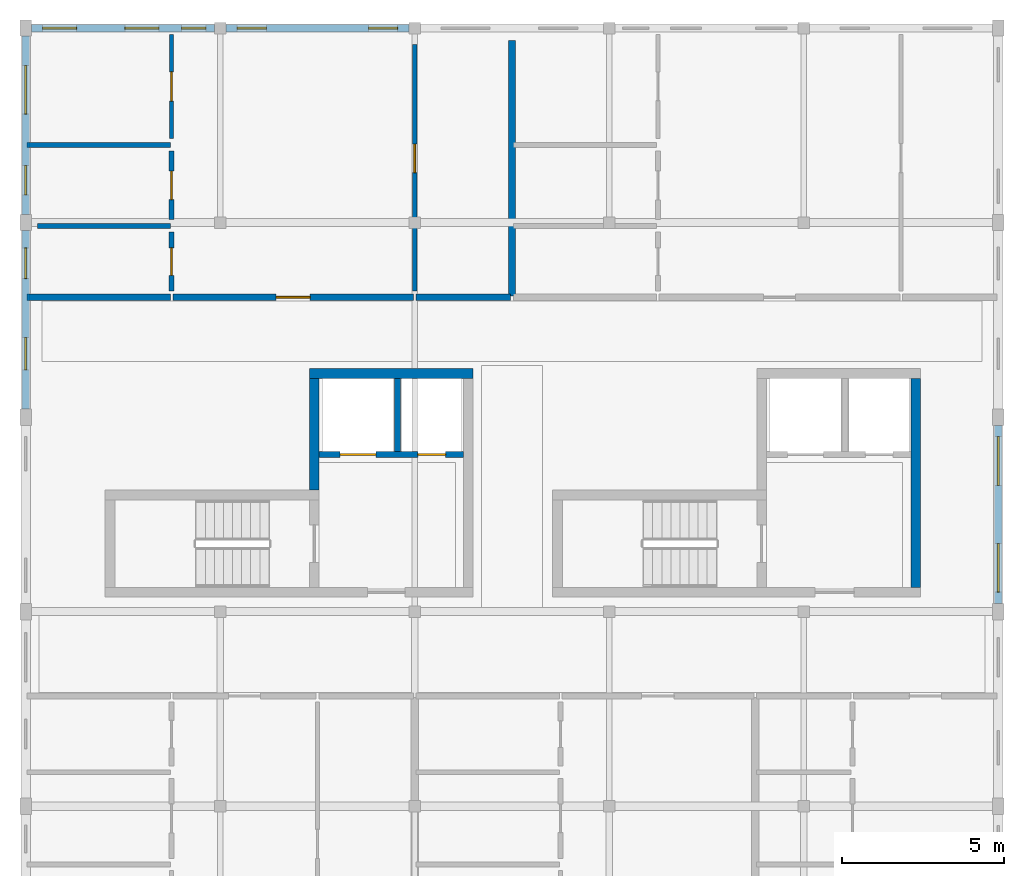
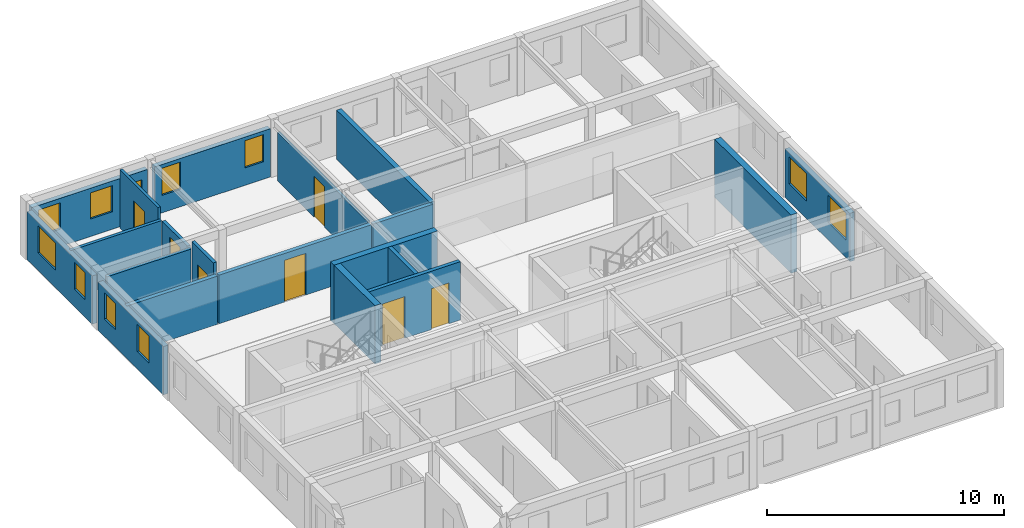
# One storey, part 4 of 7: 20 walls, 11 windows, 7 doors, 18 openings.
"""IFC4 building model written with IfcOpenShell, lengths in metres."""

from ifc_helpers import new_model, si_unit, direction, frame, frame_2d, origin, place, context, subcontext, project, spatial, rectangle, extrude, material, layer, layer_set, type_object, element, fill, save


model = new_model("IFC4")

# Units and contexts
model_context = context("Model", 3, precision=1e-05, world=origin(), true_north=direction((0.0, 1.0)))
body_context = subcontext(model_context, "Body", "Model", "MODEL_VIEW")
ifc_project = project(units=[si_unit("LENGTHUNIT", "METRE"), si_unit("AREAUNIT", "SQUARE_METRE"), si_unit("VOLUMEUNIT", "CUBIC_METRE"), si_unit("PLANEANGLEUNIT", "RADIAN"), si_unit("MASSUNIT", "GRAM", prefix="KILO"), si_unit("POWERUNIT", "WATT"), si_unit("THERMODYNAMICTEMPERATUREUNIT", "KELVIN")], contexts=[model_context])

# Site, building, storey
site_placement = place(None, origin())
site = spatial("IfcSite", under=ifc_project, at=site_placement, CompositionType="ELEMENT")
building_placement = place(site_placement, origin())
building = spatial("IfcBuilding", under=site, at=building_placement, Name="Ruvembo Vaulted Housing Court", CompositionType="ELEMENT")
storey_placement = place(building_placement, frame((0.0, 0.0, 42.89990234375)))
storey = spatial("IfcBuildingStorey", under=building, at=storey_placement, Name="L13", CompositionType="ELEMENT", Elevation=42.89990234375)

# Walls
ifc_material_1 = material(Name="Concrete C35/45", Category="concrete")
ifc_layer_1 = layer(ifc_material_1, 0.300048828125, Name="Concrete C35/45")
ifc_layer_set_1 = layer_set([ifc_layer_1], Name="Concrete C35/45")
wall_type_1 = type_object("IfcWallType", Name="WL-CORE-300", PredefinedType="SHEAR", material=ifc_layer_set_1)
wall_1_placement = place(storey_placement, frame((13.800048828125, 25.35009765625, 0.0), z_axis=(0.0, 0.0, 1.0), x_axis=(-1.0, 0.0, 0.0)))
element("IfcWall", 1, at=wall_1_placement, inside=storey, type_object=wall_type_1, Name="Core A1 L13 North Shear Wall", PredefinedType="SHEAR", context=body_context, shape_type="SweptSolid", body=[
    extrude(rectangle(XDim=5.050048828125, YDim=0.300048828125, at=frame_2d((2.52490234375, 0.0))), origin(), (0.0, 0.0, 1.0), 3.005126953125),
])
wall_2_placement = place(storey_placement, frame((8.89990234375, 21.75, 0.0), z_axis=(0.0, 0.0, 1.0), x_axis=(0.0, 1.0, 0.0)))
element("IfcWall", 2, at=wall_2_placement, inside=storey, type_object=wall_type_1, Name="Core A1 L13 Upper West Shear Wall", PredefinedType="SHEAR", context=body_context, shape_type="SweptSolid", body=[
    extrude(rectangle(XDim=3.449951171875, YDim=0.300048828125, at=frame_2d((1.72509765625, 0.0))), origin(), (0.0, 0.0, 1.0), 3.005126953125),
])
wall_3_placement = place(storey_placement, frame((27.449951171875, 18.75, 0.0), z_axis=(0.0, 0.0, 1.0), x_axis=(0.0, 1.0, 0.0)))
element("IfcWall", 3, at=wall_3_placement, inside=storey, type_object=wall_type_1, Name="Core A2 L13 East Shear Wall", PredefinedType="SHEAR", context=body_context, shape_type="SweptSolid", body=[
    extrude(rectangle(XDim=6.449951171875, YDim=0.300048828125, at=frame_2d((3.22509765625, 0.0))), origin(), (0.0, 0.0, 1.0), 3.005126953125),
])
ifc_material_2 = material(Name="Concrete Blockwork 190", Category="masonry")
ifc_layer_2 = layer(ifc_material_2, 0.18994140625, Name="Concrete Blockwork 190")
ifc_layer_set_2 = layer_set([ifc_layer_2], Name="Concrete Blockwork 190")
wall_type_2 = type_object("IfcWallType", Name="WL-CORR-190", PredefinedType="SOLIDWALL", material=ifc_layer_set_2)
wall_4_placement = place(storey_placement, frame((0.0400390625, 27.699951171875, 0.0), z_axis=(0.0, 0.0, 1.0), x_axis=(1.0, 0.0, 0.0)))
element("IfcWall", 4, at=wall_4_placement, inside=storey, type_object=wall_type_2, Name="L13 Flat A-L13-N1 Corridor Wall WL-INT-L13-02376", PredefinedType="SOLIDWALL", context=body_context, shape_type="SweptSolid", body=[
    extrude(rectangle(XDim=4.419921875, YDim=0.18994140625, at=frame_2d((2.2099609375, 0.0))), origin(), (0.0, 0.0, 1.0), 2.487060546875),
])

# Wall, opening, door
wall_5_placement = place(storey_placement, frame((4.5400390625, 27.699951171875, 0.0), z_axis=(0.0, 0.0, 1.0), x_axis=(1.0, 0.0, 0.0)))
wall_5 = element("IfcWall", 5, at=wall_5_placement, inside=storey, type_object=wall_type_2, Name="L13 Flat A-L13-N1 Entrance WL-INT-L13-02377", PredefinedType="SOLIDWALL", context=body_context, shape_type="SweptSolid", body=[
    extrude(rectangle(XDim=7.419921875, YDim=0.18994140625, at=frame_2d((3.7099609375, 0.0))), origin(), (0.0, 0.0, 1.0), 2.508056640625),
])
opening_1_placement = place(wall_5_placement, frame((3.18505859375, 0.0, 0.0)))
opening_1 = element("IfcOpeningElement", 6, at=opening_1_placement, cuts=wall_5, Name="Opening FD3", PredefinedType="OPENING", context=body_context, shape_type="SweptSolid", body=[
    extrude(rectangle(XDim=1.050048828125, YDim=2.14990234375, at=frame_2d((0.52490234375, 1.074951171875))), frame((0.0, 0.10498046875, 0.0), z_axis=(0.0, -1.0, 0.0), x_axis=(1.0, 0.0, 0.0)), (0.0, 0.0, 1.0), 0.2099609375),
])
ifc_material_3 = material(Name="FSC Hardwood and Engineered Timber", Category="wood")
door_type_1 = type_object("IfcDoorType", Name="DR-FLAT-1050x2150", OperationType="NOTDEFINED", PredefinedType="DOOR", material=ifc_material_3)
door_1_placement = place(opening_1_placement, origin())
door_1 = element("IfcDoor", 7, at=door_1_placement, inside=storey, type_object=door_type_1, Name="L13 Flat A-L13-N1 Entrance Door DR-INT-L13-01313", OperationType="SINGLE_SWING_LEFT", OverallHeight=2.14990234375, OverallWidth=1.050048828125, PredefinedType="DOOR", context=body_context, shape_type="SweptSolid", body=[
    extrude(rectangle(XDim=1.050048828125, YDim=2.14990234375, at=frame_2d((0.52490234375, 1.074951171875))), frame((0.0, 0.02490234375, 0.0), z_axis=(0.0, -1.0, 0.0), x_axis=(1.0, 0.0, 0.0)), (0.0, 0.0, 1.0), 0.050048828125),
])
fill(opening_1, door_1)

# Walls
wall_6_placement = place(storey_placement, frame((12.0400390625, 27.699951171875, 0.0), z_axis=(0.0, 0.0, 1.0), x_axis=(1.0, 0.0, 0.0)))
element("IfcWall", 8, at=wall_6_placement, inside=storey, type_object=wall_type_2, Name="L13 Flat A-L13-N1 Corridor Wall 2 WL-INT-L13-02383", PredefinedType="SOLIDWALL", context=body_context, shape_type="SweptSolid", body=[
    extrude(rectangle(XDim=2.919921875, YDim=0.18994140625, at=frame_2d((1.4599609375, 0.0))), origin(), (0.0, 0.0, 1.0), 2.508056640625),
])
ifc_material_4 = material(Name="Acoustic Masonry Demising 230", Category="masonry")
ifc_layer_3 = layer(ifc_material_4, 0.22998046875, Name="Acoustic Masonry Demising 230")
ifc_layer_set_3 = layer_set([ifc_layer_3], Name="Acoustic Masonry Demising 230")
wall_type_3 = type_object("IfcWallType", Name="WL-DEM-230", PredefinedType="SOLIDWALL", material=ifc_layer_set_3)
wall_7_placement = place(storey_placement, frame((15.0, 27.739990234375, 0.0), z_axis=(0.0, 0.0, 1.0), x_axis=(0.0, 1.0, 0.0)))
element("IfcWall", 9, at=wall_7_placement, inside=storey, type_object=wall_type_3, Name="L13 Demising A-L13-N1 WL-INT-L13-02375", PredefinedType="SOLIDWALL", context=body_context, shape_type="SweptSolid", body=[
    extrude(rectangle(XDim=7.8701171875, YDim=0.22998046875, at=frame_2d((3.93505859375, 0.0))), origin(), (0.0, 0.0, 1.0), 2.537109375),
])

# Wall, openings, windows
ifc_material_5 = material(Name="Rendered Masonry 235", Category="masonry")
ifc_layer_4 = layer(ifc_material_5, 0.235107421875, Name="Rendered Masonry 235")
ifc_layer_set_4 = layer_set([ifc_layer_4], Name="Rendered Masonry 235")
wall_type_4 = type_object("IfcWallType", Name="WL-EXT-235", PredefinedType="STANDARD", material=ifc_layer_set_4)
wall_8_placement = place(storey_placement, frame((30.0, 18.25, 0.0), z_axis=(0.0, 0.0, 1.0), x_axis=(0.0, 1.0, 0.0)))
wall_8 = element("IfcWall", 10, at=wall_8_placement, inside=storey, type_object=wall_type_4, Name="Block A L13 Exterior Wall EAST #3", PredefinedType="STANDARD", context=body_context, shape_type="SweptSolid", body=[
    extrude(rectangle(XDim=5.5, YDim=0.235107421875, at=frame_2d((2.75, 0.0))), origin(), (0.0, 0.0, 1.0), 2.487060546875),
])
opening_2_placement = place(wall_8_placement, frame((0.35009765625, 0.0, 0.89990234375)))
opening_2 = element("IfcOpeningElement", 11, at=opening_2_placement, cuts=wall_8, Name="Opening W18", PredefinedType="OPENING", context=body_context, shape_type="SweptSolid", body=[
    extrude(rectangle(XDim=1.5, YDim=1.39990234375, at=frame_2d((0.75, 0.699951171875))), frame((0.0, 0.12744140625, 0.0), z_axis=(0.0, -1.0, 0.0), x_axis=(1.0, 0.0, 0.0)), (0.0, 0.0, 1.0), 0.255126953125),
])
opening_3_placement = place(wall_8_placement, frame((3.64990234375, 0.0, 0.89990234375)))
opening_3 = element("IfcOpeningElement", 12, at=opening_3_placement, cuts=wall_8, Name="Opening W18", PredefinedType="OPENING", context=body_context, shape_type="SweptSolid", body=[
    extrude(rectangle(XDim=1.5, YDim=1.39990234375, at=frame_2d((0.75, 0.699951171875))), frame((0.0, 0.12744140625, 0.0), z_axis=(0.0, -1.0, 0.0), x_axis=(1.0, 0.0, 0.0)), (0.0, 0.0, 1.0), 0.255126953125),
])
ifc_material_6 = material(Name="Double Solar-Control Glazing in Aluminium Frame", Category="aluminium")
window_type_1 = type_object("IfcWindowType", Name="WIN-1500x1400", PartitioningType="SINGLE_PANEL", PredefinedType="WINDOW", material=ifc_material_6)
window_1_placement = place(opening_2_placement, origin())
window_1 = element("IfcWindow", 13, at=window_1_placement, inside=storey, type_object=window_type_1, Name="Block A L13 Window #575", OverallHeight=1.39990234375, OverallWidth=1.5, PartitioningType="SINGLE_PANEL", PredefinedType="WINDOW", context=body_context, shape_type="SweptSolid", body=[
    extrude(rectangle(XDim=1.5, YDim=1.39990234375, at=frame_2d((0.75, 0.699951171875))), frame((0.0, 0.030029296875, 0.0), z_axis=(0.0, -1.0, 0.0), x_axis=(1.0, 0.0, 0.0)), (0.0, 0.0, 1.0), 0.06005859375),
])
fill(opening_2, window_1)
window_2_placement = place(opening_3_placement, origin())
window_2 = element("IfcWindow", 14, at=window_2_placement, inside=storey, type_object=window_type_1, Name="Block A L13 Window #576", OverallHeight=1.39990234375, OverallWidth=1.5, PartitioningType="SINGLE_PANEL", PredefinedType="WINDOW", context=body_context, shape_type="SweptSolid", body=[
    extrude(rectangle(XDim=1.5, YDim=1.39990234375, at=frame_2d((0.75, 0.699951171875))), frame((0.0, 0.030029296875, 0.0), z_axis=(0.0, -1.0, 0.0), x_axis=(1.0, 0.0, 0.0)), (0.0, 0.0, 1.0), 0.06005859375),
])
fill(opening_3, window_2)

wall_9_placement = place(storey_placement, frame((11.824951171875, 36.0, 0.0), z_axis=(0.0, 0.0, 1.0), x_axis=(-1.0, 0.0, 0.0)))
wall_9 = element("IfcWall", 15, at=wall_9_placement, inside=storey, type_object=wall_type_4, Name="Block A L13 Exterior Wall COURTYARD #4", PredefinedType="STANDARD", context=body_context, shape_type="SweptSolid", body=[
    extrude(rectangle(XDim=5.64990234375, YDim=0.235107421875, at=frame_2d((2.824951171875, 0.0))), origin(), (0.0, 0.0, 1.0), 2.487060546875),
])
opening_4_placement = place(wall_9_placement, frame((0.35009765625, 0.0, 0.89990234375)))
opening_4 = element("IfcOpeningElement", 16, at=opening_4_placement, cuts=wall_9, Name="Opening W05", PredefinedType="OPENING", context=body_context, shape_type="SweptSolid", body=[
    extrude(rectangle(XDim=0.89990234375, YDim=1.39990234375, at=frame_2d((0.449951171875, 0.699951171875))), frame((0.0, 0.12744140625, 0.0), z_axis=(0.0, -1.0, 0.0), x_axis=(1.0, 0.0, 0.0)), (0.0, 0.0, 1.0), 0.255126953125),
])
opening_5_placement = place(wall_9_placement, frame((4.39990234375, 0.0, 0.89990234375)))
opening_5 = element("IfcOpeningElement", 17, at=opening_5_placement, cuts=wall_9, Name="Opening W05", PredefinedType="OPENING", context=body_context, shape_type="SweptSolid", body=[
    extrude(rectangle(XDim=0.89990234375, YDim=1.39990234375, at=frame_2d((0.449951171875, 0.699951171875))), frame((0.0, 0.12744140625, 0.0), z_axis=(0.0, -1.0, 0.0), x_axis=(1.0, 0.0, 0.0)), (0.0, 0.0, 1.0), 0.255126953125),
])
window_type_2 = type_object("IfcWindowType", Name="WIN-0900x1400", PartitioningType="SINGLE_PANEL", PredefinedType="WINDOW", material=ifc_material_6)
window_3_placement = place(opening_4_placement, origin())
window_3 = element("IfcWindow", 18, at=window_3_placement, inside=storey, type_object=window_type_2, Name="Block A L13 Window #588", OverallHeight=1.39990234375, OverallWidth=0.89990234375, PartitioningType="SINGLE_PANEL", PredefinedType="WINDOW", context=body_context, shape_type="SweptSolid", body=[
    extrude(rectangle(XDim=0.89990234375, YDim=1.39990234375, at=frame_2d((0.449951171875, 0.699951171875))), frame((0.0, 0.030029296875, 0.0), z_axis=(0.0, -1.0, 0.0), x_axis=(1.0, 0.0, 0.0)), (0.0, 0.0, 1.0), 0.06005859375),
])
fill(opening_4, window_3)
window_4_placement = place(opening_5_placement, origin())
window_4 = element("IfcWindow", 19, at=window_4_placement, inside=storey, type_object=window_type_2, Name="Block A L13 Window #589", OverallHeight=1.39990234375, OverallWidth=0.89990234375, PartitioningType="SINGLE_PANEL", PredefinedType="WINDOW", context=body_context, shape_type="SweptSolid", body=[
    extrude(rectangle(XDim=0.89990234375, YDim=1.39990234375, at=frame_2d((0.449951171875, 0.699951171875))), frame((0.0, 0.030029296875, 0.0), z_axis=(0.0, -1.0, 0.0), x_axis=(1.0, 0.0, 0.0)), (0.0, 0.0, 1.0), 0.06005859375),
])
fill(opening_5, window_4)

wall_10_placement = place(storey_placement, frame((5.824951171875, 36.0, 0.0), z_axis=(0.0, 0.0, 1.0), x_axis=(-1.0, 0.0, 0.0)))
wall_10 = element("IfcWall", 20, at=wall_10_placement, inside=storey, type_object=wall_type_4, Name="Block A L13 Exterior Wall COURTYARD #5", PredefinedType="STANDARD", context=body_context, shape_type="SweptSolid", body=[
    extrude(rectangle(XDim=5.64990234375, YDim=0.235107421875, at=frame_2d((2.824951171875, 0.0))), origin(), (0.0, 0.0, 1.0), 2.487060546875),
])
opening_6_placement = place(wall_10_placement, frame((0.267578125, 0.0, 0.89990234375)))
opening_6 = element("IfcOpeningElement", 21, at=opening_6_placement, cuts=wall_10, Name="Opening W01", PredefinedType="OPENING", context=body_context, shape_type="SweptSolid", body=[
    extrude(rectangle(XDim=0.75, YDim=1.14990234375, at=frame_2d((0.375, 0.574951171875))), frame((0.0, 0.12744140625, 0.0), z_axis=(0.0, -1.0, 0.0), x_axis=(1.0, 0.0, 0.0)), (0.0, 0.0, 1.0), 0.255126953125),
])
opening_7_placement = place(wall_10_placement, frame((1.715087890625, 0.0, 0.89990234375)))
opening_7 = element("IfcOpeningElement", 22, at=opening_7_placement, cuts=wall_10, Name="Opening W09", PredefinedType="OPENING", context=body_context, shape_type="SweptSolid", body=[
    extrude(rectangle(XDim=1.050048828125, YDim=1.35009765625, at=frame_2d((0.52490234375, 0.675048828125))), frame((0.0, 0.12744140625, 0.0), z_axis=(0.0, -1.0, 0.0), x_axis=(1.0, 0.0, 0.0)), (0.0, 0.0, 1.0), 0.255126953125),
])
opening_8_placement = place(wall_10_placement, frame((4.25, 0.0, 0.89990234375)))
opening_8 = element("IfcOpeningElement", 23, at=opening_8_placement, cuts=wall_10, Name="Opening W09", PredefinedType="OPENING", context=body_context, shape_type="SweptSolid", body=[
    extrude(rectangle(XDim=1.050048828125, YDim=1.35009765625, at=frame_2d((0.52490234375, 0.675048828125))), frame((0.0, 0.12744140625, 0.0), z_axis=(0.0, -1.0, 0.0), x_axis=(1.0, 0.0, 0.0)), (0.0, 0.0, 1.0), 0.255126953125),
])
window_type_3 = type_object("IfcWindowType", Name="WIN-0750x1150", PartitioningType="SINGLE_PANEL", PredefinedType="WINDOW", material=ifc_material_6)
window_5_placement = place(opening_6_placement, origin())
window_5 = element("IfcWindow", 24, at=window_5_placement, inside=storey, type_object=window_type_3, Name="Block A L13 Window #590", OverallHeight=1.14990234375, OverallWidth=0.75, PartitioningType="SINGLE_PANEL", PredefinedType="WINDOW", context=body_context, shape_type="SweptSolid", body=[
    extrude(rectangle(XDim=0.75, YDim=1.14990234375, at=frame_2d((0.375, 0.574951171875))), frame((0.0, 0.030029296875, 0.0), z_axis=(0.0, -1.0, 0.0), x_axis=(1.0, 0.0, 0.0)), (0.0, 0.0, 1.0), 0.06005859375),
])
fill(opening_6, window_5)
window_type_4 = type_object("IfcWindowType", Name="WIN-1050x1350", PartitioningType="SINGLE_PANEL", PredefinedType="WINDOW", material=ifc_material_6)
window_6_placement = place(opening_7_placement, origin())
window_6 = element("IfcWindow", 25, at=window_6_placement, inside=storey, type_object=window_type_4, Name="Block A L13 Window #591", OverallHeight=1.35009765625, OverallWidth=1.050048828125, PartitioningType="SINGLE_PANEL", PredefinedType="WINDOW", context=body_context, shape_type="SweptSolid", body=[
    extrude(rectangle(XDim=1.050048828125, YDim=1.35009765625, at=frame_2d((0.52490234375, 0.675048828125))), frame((0.0, 0.030029296875, 0.0), z_axis=(0.0, -1.0, 0.0), x_axis=(1.0, 0.0, 0.0)), (0.0, 0.0, 1.0), 0.06005859375),
])
fill(opening_7, window_6)
window_7_placement = place(opening_8_placement, origin())
window_7 = element("IfcWindow", 26, at=window_7_placement, inside=storey, type_object=window_type_4, Name="Block A L13 Window #592", OverallHeight=1.35009765625, OverallWidth=1.050048828125, PartitioningType="SINGLE_PANEL", PredefinedType="WINDOW", context=body_context, shape_type="SweptSolid", body=[
    extrude(rectangle(XDim=1.050048828125, YDim=1.35009765625, at=frame_2d((0.52490234375, 0.675048828125))), frame((0.0, 0.030029296875, 0.0), z_axis=(0.0, -1.0, 0.0), x_axis=(1.0, 0.0, 0.0)), (0.0, 0.0, 1.0), 0.06005859375),
])
fill(opening_8, window_7)

wall_11_placement = place(storey_placement, frame((0.0, 35.75, 0.0), z_axis=(0.0, 0.0, 1.0), x_axis=(0.0, -1.0, 0.0)))
wall_11 = element("IfcWall", 27, at=wall_11_placement, inside=storey, type_object=wall_type_4, Name="Block A L13 Exterior Wall WEST #1", PredefinedType="STANDARD", context=body_context, shape_type="SweptSolid", body=[
    extrude(rectangle(XDim=5.5, YDim=0.235107421875, at=frame_2d((2.75, 0.0))), origin(), (0.0, 0.0, 1.0), 2.487060546875),
])
opening_9_placement = place(wall_11_placement, frame((0.905029296875, 0.0, 0.89990234375)))
opening_9 = element("IfcOpeningElement", 28, at=opening_9_placement, cuts=wall_11, Name="Opening W18", PredefinedType="OPENING", context=body_context, shape_type="SweptSolid", body=[
    extrude(rectangle(XDim=1.5, YDim=1.39990234375, at=frame_2d((0.75, 0.699951171875))), frame((0.0, 0.12744140625, 0.0), z_axis=(0.0, -1.0, 0.0), x_axis=(1.0, 0.0, 0.0)), (0.0, 0.0, 1.0), 0.255126953125),
])
opening_10_placement = place(wall_11_placement, frame((3.9951171875, 0.0, 0.89990234375)))
opening_10 = element("IfcOpeningElement", 29, at=opening_10_placement, cuts=wall_11, Name="Opening W05", PredefinedType="OPENING", context=body_context, shape_type="SweptSolid", body=[
    extrude(rectangle(XDim=0.89990234375, YDim=1.39990234375, at=frame_2d((0.449951171875, 0.699951171875))), frame((0.0, 0.12744140625, 0.0), z_axis=(0.0, -1.0, 0.0), x_axis=(1.0, 0.0, 0.0)), (0.0, 0.0, 1.0), 0.255126953125),
])
window_8_placement = place(opening_10_placement, origin())
window_8 = element("IfcWindow", 30, at=window_8_placement, inside=storey, type_object=window_type_2, Name="Block A L13 Window #594", OverallHeight=1.39990234375, OverallWidth=0.89990234375, PartitioningType="SINGLE_PANEL", PredefinedType="WINDOW", context=body_context, shape_type="SweptSolid", body=[
    extrude(rectangle(XDim=0.89990234375, YDim=1.39990234375, at=frame_2d((0.449951171875, 0.699951171875))), frame((0.0, 0.030029296875, 0.0), z_axis=(0.0, -1.0, 0.0), x_axis=(1.0, 0.0, 0.0)), (0.0, 0.0, 1.0), 0.06005859375),
])
fill(opening_10, window_8)
window_9_placement = place(opening_9_placement, origin())
window_9 = element("IfcWindow", 31, at=window_9_placement, inside=storey, type_object=window_type_1, Name="Block A L13 Window #593", OverallHeight=1.39990234375, OverallWidth=1.5, PartitioningType="SINGLE_PANEL", PredefinedType="WINDOW", context=body_context, shape_type="SweptSolid", body=[
    extrude(rectangle(XDim=1.5, YDim=1.39990234375, at=frame_2d((0.75, 0.699951171875))), frame((0.0, 0.030029296875, 0.0), z_axis=(0.0, -1.0, 0.0), x_axis=(1.0, 0.0, 0.0)), (0.0, 0.0, 1.0), 0.06005859375),
])
fill(opening_9, window_9)

wall_12_placement = place(storey_placement, frame((0.0, 29.75, 0.0), z_axis=(0.0, 0.0, 1.0), x_axis=(0.0, -1.0, 0.0)))
wall_12 = element("IfcWall", 32, at=wall_12_placement, inside=storey, type_object=wall_type_4, Name="Block A L13 Exterior Wall WEST #2", PredefinedType="STANDARD", context=body_context, shape_type="SweptSolid", body=[
    extrude(rectangle(XDim=5.5, YDim=0.235107421875, at=frame_2d((2.75, 0.0))), origin(), (0.0, 0.0, 1.0), 2.487060546875),
])
opening_11_placement = place(wall_12_placement, frame((0.530029296875, 0.0, 0.89990234375)))
opening_11 = element("IfcOpeningElement", 33, at=opening_11_placement, cuts=wall_12, Name="Opening W07", PredefinedType="OPENING", context=body_context, shape_type="SweptSolid", body=[
    extrude(rectangle(XDim=0.949951171875, YDim=1.35009765625, at=frame_2d((0.47509765625, 0.675048828125))), frame((0.0, 0.12744140625, 0.0), z_axis=(0.0, -1.0, 0.0), x_axis=(1.0, 0.0, 0.0)), (0.0, 0.0, 1.0), 0.255126953125),
])
opening_12_placement = place(wall_12_placement, frame((3.294921875, 0.0, 0.89990234375)))
opening_12 = element("IfcOpeningElement", 34, at=opening_12_placement, cuts=wall_12, Name="Opening W08", PredefinedType="OPENING", context=body_context, shape_type="SweptSolid", body=[
    extrude(rectangle(XDim=1.0, YDim=1.39990234375, at=frame_2d((0.5, 0.699951171875))), frame((0.0, 0.12744140625, 0.0), z_axis=(0.0, -1.0, 0.0), x_axis=(1.0, 0.0, 0.0)), (0.0, 0.0, 1.0), 0.255126953125),
])
window_type_5 = type_object("IfcWindowType", Name="WIN-0950x1350", PartitioningType="SINGLE_PANEL", PredefinedType="WINDOW", material=ifc_material_6)
window_10_placement = place(opening_11_placement, origin())
window_10 = element("IfcWindow", 35, at=window_10_placement, inside=storey, type_object=window_type_5, Name="Block A L13 Window #595", OverallHeight=1.35009765625, OverallWidth=0.949951171875, PartitioningType="SINGLE_PANEL", PredefinedType="WINDOW", context=body_context, shape_type="SweptSolid", body=[
    extrude(rectangle(XDim=0.949951171875, YDim=1.35009765625, at=frame_2d((0.47509765625, 0.675048828125))), frame((0.0, 0.030029296875, 0.0), z_axis=(0.0, -1.0, 0.0), x_axis=(1.0, 0.0, 0.0)), (0.0, 0.0, 1.0), 0.06005859375),
])
fill(opening_11, window_10)
window_type_6 = type_object("IfcWindowType", Name="WIN-1000x1400", PartitioningType="SINGLE_PANEL", PredefinedType="WINDOW", material=ifc_material_6)
window_11_placement = place(opening_12_placement, origin())
window_11 = element("IfcWindow", 36, at=window_11_placement, inside=storey, type_object=window_type_6, Name="Block A L13 Window #596", OverallHeight=1.39990234375, OverallWidth=1.0, PartitioningType="SINGLE_PANEL", PredefinedType="WINDOW", context=body_context, shape_type="SweptSolid", body=[
    extrude(rectangle(XDim=1.0, YDim=1.39990234375, at=frame_2d((0.5, 0.699951171875))), frame((0.0, 0.030029296875, 0.0), z_axis=(0.0, -1.0, 0.0), x_axis=(1.0, 0.0, 0.0)), (0.0, 0.0, 1.0), 0.06005859375),
])
fill(opening_12, window_11)

# Wall, opening, door
ifc_material_7 = material(Name="Plasterboard Stud Partition 125", Category="gypsum")
ifc_layer_5 = layer(ifc_material_7, 0.125, Name="Plasterboard Stud Partition 125")
ifc_layer_set_5 = layer_set([ifc_layer_5], Name="Plasterboard Stud Partition 125")
wall_type_5 = type_object("IfcWallType", Name="WL-PART-125", PredefinedType="PARTITIONING", material=ifc_layer_set_5)
wall_13_placement = place(storey_placement, frame((4.5, 32.590087890625, 0.0), z_axis=(0.0, 0.0, 1.0), x_axis=(0.0, 1.0, 0.0)))
wall_13 = element("IfcWall", 37, at=wall_13_placement, inside=storey, type_object=wall_type_5, Name="L13 Flat A-L13-N1 Bedroom 1 WL-INT-L13-02378", PredefinedType="PARTITIONING", context=body_context, shape_type="SweptSolid", body=[
    extrude(rectangle(XDim=3.219970703125, YDim=0.125, at=frame_2d((1.60986328125, 0.0))), origin(), (0.0, 0.0, 1.0), 3.005126953125),
])
opening_13_placement = place(wall_13_placement, frame((1.159912109375, 0.0, 0.0)))
opening_13 = element("IfcOpeningElement", 38, at=opening_13_placement, cuts=wall_13, Name="Opening ID1", PredefinedType="OPENING", context=body_context, shape_type="SweptSolid", body=[
    extrude(rectangle(XDim=0.89990234375, YDim=2.10009765625, at=frame_2d((0.449951171875, 1.050048828125))), frame((0.0, 0.072509765625, 0.0), z_axis=(0.0, -1.0, 0.0), x_axis=(1.0, 0.0, 0.0)), (0.0, 0.0, 1.0), 0.14501953125),
])
door_type_2 = type_object("IfcDoorType", Name="DR-ROOM-0900x2100", OperationType="NOTDEFINED", PredefinedType="DOOR", material=ifc_material_3)
door_2_placement = place(opening_13_placement, origin())
door_2 = element("IfcDoor", 39, at=door_2_placement, inside=storey, type_object=door_type_2, Name="L13 Flat A-L13-N1 Bedroom 1 Door DR-INT-L13-01314", OperationType="SINGLE_SWING_RIGHT", OverallHeight=2.10009765625, OverallWidth=0.89990234375, PredefinedType="DOOR", context=body_context, shape_type="SweptSolid", body=[
    extrude(rectangle(XDim=0.89990234375, YDim=2.10009765625, at=frame_2d((0.449951171875, 1.050048828125))), frame((0.0, 0.02490234375, 0.0), z_axis=(0.0, -1.0, 0.0), x_axis=(1.0, 0.0, 0.0)), (0.0, 0.0, 1.0), 0.050048828125),
])
fill(opening_13, door_2)

wall_14_placement = place(storey_placement, frame((12.0, 27.889892578125, 0.0), z_axis=(0.0, 0.0, 1.0), x_axis=(0.0, 1.0, 0.0)))
wall_14 = element("IfcWall", 40, at=wall_14_placement, inside=storey, type_object=wall_type_5, Name="L13 Flat A-L13-N1 Bedroom 2 WL-INT-L13-02384", PredefinedType="PARTITIONING", context=body_context, shape_type="SweptSolid", body=[
    extrude(rectangle(XDim=7.60009765625, YDim=0.125, at=frame_2d((3.800048828125, 0.0))), origin(), (0.0, 0.0, 1.0), 2.508056640625),
])
opening_14_placement = place(wall_14_placement, frame((3.64990234375, 0.0, 0.0)))
opening_14 = element("IfcOpeningElement", 41, at=opening_14_placement, cuts=wall_14, Name="Opening ID3", PredefinedType="OPENING", context=body_context, shape_type="SweptSolid", body=[
    extrude(rectangle(XDim=0.8798828125, YDim=2.10009765625, at=frame_2d((0.43994140625, 1.050048828125))), frame((0.0, 0.072509765625, 0.0), z_axis=(0.0, -1.0, 0.0), x_axis=(1.0, 0.0, 0.0)), (0.0, 0.0, 1.0), 0.14501953125),
])
door_type_3 = type_object("IfcDoorType", Name="DR-ROOM-0880x2100", OperationType="NOTDEFINED", PredefinedType="DOOR", material=ifc_material_3)
door_3_placement = place(opening_14_placement, origin())
door_3 = element("IfcDoor", 42, at=door_3_placement, inside=storey, type_object=door_type_3, Name="L13 Flat A-L13-N1 Bedroom 2 Door DR-INT-L13-01317", OperationType="SINGLE_SWING_LEFT", OverallHeight=2.10009765625, OverallWidth=0.8798828125, PredefinedType="DOOR", context=body_context, shape_type="SweptSolid", body=[
    extrude(rectangle(XDim=0.8798828125, YDim=2.10009765625, at=frame_2d((0.43994140625, 1.050048828125))), frame((0.0, 0.02490234375, 0.0), z_axis=(0.0, -1.0, 0.0), x_axis=(1.0, 0.0, 0.0)), (0.0, 0.0, 1.0), 0.050048828125),
])
fill(opening_14, door_3)

ifc_material_8 = material(Name="Moisture-Resistant Wet Partition 150", Category="gypsum")
ifc_layer_6 = layer(ifc_material_8, 0.14990234375, Name="Moisture-Resistant Wet Partition 150")
ifc_layer_set_6 = layer_set([ifc_layer_6], Name="Moisture-Resistant Wet Partition 150")
wall_type_6 = type_object("IfcWallType", Name="WL-PART-150", PredefinedType="PARTITIONING", material=ifc_layer_set_6)
wall_15_placement = place(storey_placement, frame((4.5, 27.889892578125, 0.0), z_axis=(0.0, 0.0, 1.0), x_axis=(0.0, 1.0, 0.0)))
wall_15 = element("IfcWall", 43, at=wall_15_placement, inside=storey, type_object=wall_type_6, Name="L13 Flat A-L13-N1 Bathroom WL-INT-L13-02380", PredefinedType="PARTITIONING", context=body_context, shape_type="SweptSolid", body=[
    extrude(rectangle(XDim=1.820068359375, YDim=0.14990234375, at=frame_2d((0.91015625, 0.0))), origin(), (0.0, 0.0, 1.0), 3.005126953125),
])
opening_15_placement = place(wall_15_placement, frame((0.485107421875, 0.0, 0.0)))
opening_15 = element("IfcOpeningElement", 44, at=opening_15_placement, cuts=wall_15, Name="Opening ID2", PredefinedType="OPENING", context=body_context, shape_type="SweptSolid", body=[
    extrude(rectangle(XDim=0.85009765625, YDim=2.10009765625, at=frame_2d((0.425048828125, 1.050048828125))), frame((0.0, 0.0849609375, 0.0), z_axis=(0.0, -1.0, 0.0), x_axis=(1.0, 0.0, 0.0)), (0.0, 0.0, 1.0), 0.169921875),
])
door_type_4 = type_object("IfcDoorType", Name="DR-WET-0850x2100", OperationType="NOTDEFINED", PredefinedType="DOOR", material=ifc_material_3)
door_4_placement = place(opening_15_placement, origin())
door_4 = element("IfcDoor", 45, at=door_4_placement, inside=storey, type_object=door_type_4, Name="L13 Flat A-L13-N1 Bathroom Door DR-INT-L13-01316", OperationType="SINGLE_SWING_RIGHT", OverallHeight=2.10009765625, OverallWidth=0.85009765625, PredefinedType="DOOR", context=body_context, shape_type="SweptSolid", body=[
    extrude(rectangle(XDim=0.85009765625, YDim=2.10009765625, at=frame_2d((0.425048828125, 1.050048828125))), frame((0.0, 0.02490234375, 0.0), z_axis=(0.0, -1.0, 0.0), x_axis=(1.0, 0.0, 0.0)), (0.0, 0.0, 1.0), 0.050048828125),
])
fill(opening_15, door_4)

# Walls
wall_16_placement = place(storey_placement, frame((0.0400390625, 32.39990234375, 0.0), z_axis=(0.0, 0.0, 1.0), x_axis=(1.0, 0.0, 0.0)))
element("IfcWall", 46, at=wall_16_placement, inside=storey, type_object=wall_type_6, Name="L13 Flat A-L13-N1 Wet Wall 1 WL-INT-L13-02381", PredefinedType="PARTITIONING", context=body_context, shape_type="SweptSolid", body=[
    extrude(rectangle(XDim=4.419921875, YDim=0.14990234375, at=frame_2d((2.2099609375, 0.0))), origin(), (0.0, 0.0, 1.0), 2.487060546875),
])
wall_17_placement = place(storey_placement, frame((0.360107421875, 29.89990234375, 0.0), z_axis=(0.0, 0.0, 1.0), x_axis=(1.0, 0.0, 0.0)))
element("IfcWall", 47, at=wall_17_placement, inside=storey, type_object=wall_type_6, Name="L13 Flat A-L13-N1 Wet Wall 2 WL-INT-L13-02382", PredefinedType="PARTITIONING", context=body_context, shape_type="SweptSolid", body=[
    extrude(rectangle(XDim=4.099853515625, YDim=0.14990234375, at=frame_2d((2.0498046875, 0.0))), origin(), (0.0, 0.0, 1.0), 2.537109375),
])

# Wall, opening, door
ifc_material_9 = material(Name="Acoustic Service Chase Wall 160", Category="gypsum")
ifc_layer_7 = layer(ifc_material_9, 0.159912109375, Name="Acoustic Service Chase Wall 160")
ifc_layer_set_7 = layer_set([ifc_layer_7], Name="Acoustic Service Chase Wall 160")
wall_type_7 = type_object("IfcWallType", Name="WL-PLUMB-160", PredefinedType="PLUMBINGWALL", material=ifc_layer_set_7)
wall_18_placement = place(storey_placement, frame((4.5, 30.090087890625, 0.0), z_axis=(0.0, 0.0, 1.0), x_axis=(0.0, 1.0, 0.0)))
wall_18 = element("IfcWall", 48, at=wall_18_placement, inside=storey, type_object=wall_type_7, Name="L13 Flat A-L13-N1 Kitchen WL-INT-L13-02379", PredefinedType="PLUMBINGWALL", context=body_context, shape_type="SweptSolid", body=[
    extrude(rectangle(XDim=2.119873046875, YDim=0.159912109375, at=frame_2d((1.06005859375, 0.0))), origin(), (0.0, 0.0, 1.0), 2.537109375),
])
opening_16_placement = place(wall_18_placement, frame((0.6201171875, 0.0, 0.0)))
opening_16 = element("IfcOpeningElement", 49, at=opening_16_placement, cuts=wall_18, Name="Opening ID3", PredefinedType="OPENING", context=body_context, shape_type="SweptSolid", body=[
    extrude(rectangle(XDim=0.8798828125, YDim=2.10009765625, at=frame_2d((0.43994140625, 1.050048828125))), frame((0.0, 0.08984375, 0.0), z_axis=(0.0, -1.0, 0.0), x_axis=(1.0, 0.0, 0.0)), (0.0, 0.0, 1.0), 0.179931640625),
])
door_5_placement = place(opening_16_placement, origin())
door_5 = element("IfcDoor", 50, at=door_5_placement, inside=storey, type_object=door_type_3, Name="L13 Flat A-L13-N1 Kitchen Door DR-INT-L13-01315", OperationType="SINGLE_SWING_LEFT", OverallHeight=2.10009765625, OverallWidth=0.8798828125, PredefinedType="DOOR", context=body_context, shape_type="SweptSolid", body=[
    extrude(rectangle(XDim=0.8798828125, YDim=2.10009765625, at=frame_2d((0.43994140625, 1.050048828125))), frame((0.0, 0.02490234375, 0.0), z_axis=(0.0, -1.0, 0.0), x_axis=(1.0, 0.0, 0.0)), (0.0, 0.0, 1.0), 0.050048828125),
])
fill(opening_16, door_5)

# Wall, openings, doors
ifc_material_10 = material(Name="Fire-Rated Masonry Shaft 180", Category="masonry")
ifc_layer_8 = layer(ifc_material_10, 0.179931640625, Name="Fire-Rated Masonry Shaft 180")
ifc_layer_set_8 = layer_set([ifc_layer_8], Name="Fire-Rated Masonry Shaft 180")
wall_type_8 = type_object("IfcWallType", Name="WL-SHAFT-180", PredefinedType="SOLIDWALL", material=ifc_layer_set_8)
wall_19_placement = place(storey_placement, frame((9.050048828125, 22.85009765625, 0.0), z_axis=(0.0, 0.0, 1.0), x_axis=(1.0, 0.0, 0.0)))
wall_19 = element("IfcWall", 51, at=wall_19_placement, inside=storey, type_object=wall_type_8, Name="Core A1 L13 Lift and Riser Front Wall", PredefinedType="SOLIDWALL", context=body_context, shape_type="SweptSolid", body=[
    extrude(rectangle(XDim=4.449951171875, YDim=0.179931640625, at=frame_2d((2.22509765625, 0.0))), origin(), (0.0, 0.0, 1.0), 3.005126953125),
])
opening_17_placement = place(wall_19_placement, frame((0.64990234375, 0.0, 0.0)))
opening_17 = element("IfcOpeningElement", 52, at=opening_17_placement, cuts=wall_19, Name="Opening LD-FL-A1-L13", PredefinedType="OPENING", context=body_context, shape_type="SweptSolid", body=[
    extrude(rectangle(XDim=1.10009765625, YDim=2.14990234375, at=frame_2d((0.550048828125, 1.074951171875))), frame((0.0, 0.099853515625, 0.0), z_axis=(0.0, -1.0, 0.0), x_axis=(1.0, 0.0, 0.0)), (0.0, 0.0, 1.0), 0.199951171875),
])
opening_18_placement = place(wall_19_placement, frame((3.050048828125, 0.0, 0.0)))
opening_18 = element("IfcOpeningElement", 53, at=opening_18_placement, cuts=wall_19, Name="Opening RD1", PredefinedType="OPENING", context=body_context, shape_type="SweptSolid", body=[
    extrude(rectangle(XDim=0.85009765625, YDim=2.10009765625, at=frame_2d((0.425048828125, 1.050048828125))), frame((0.0, 0.099853515625, 0.0), z_axis=(0.0, -1.0, 0.0), x_axis=(1.0, 0.0, 0.0)), (0.0, 0.0, 1.0), 0.199951171875),
])
ifc_material_11 = material(Name="Brushed Stainless Steel 304", Category="steel")
door_type_5 = type_object("IfcDoorType", Name="DR-LIFT-1100x2150", OperationType="NOTDEFINED", PredefinedType="DOOR", material=ifc_material_11)
door_6_placement = place(opening_17_placement, origin())
door_6 = element("IfcDoor", 54, at=door_6_placement, inside=storey, type_object=door_type_5, Name="Lift FL-A1 L13 Sliding Landing Door", OperationType="SLIDING_TO_LEFT", OverallHeight=2.14990234375, OverallWidth=1.10009765625, PredefinedType="DOOR", context=body_context, shape_type="SweptSolid", body=[
    extrude(rectangle(XDim=1.10009765625, YDim=2.14990234375, at=frame_2d((0.550048828125, 1.074951171875))), frame((0.0, 0.02490234375, 0.0), z_axis=(0.0, -1.0, 0.0), x_axis=(1.0, 0.0, 0.0)), (0.0, 0.0, 1.0), 0.050048828125),
])
fill(opening_17, door_6)
ifc_material_12 = material(Name="Galvanised Painted Steel", Category="steel")
door_type_6 = type_object("IfcDoorType", Name="DR-RISER-0850x2100", OperationType="NOTDEFINED", PredefinedType="DOOR", material=ifc_material_12)
door_7_placement = place(opening_18_placement, frame((0.85009765625, 0.0, 0.0), z_axis=(0.0, 0.0, 1.0), x_axis=(-1.0, 0.0, 0.0)))
door_7 = element("IfcDoor", 55, at=door_7_placement, inside=storey, type_object=door_type_6, Name="Core A1 L13 Service Riser Door", OperationType="SINGLE_SWING_LEFT", OverallHeight=2.10009765625, OverallWidth=0.85009765625, PredefinedType="DOOR", context=body_context, shape_type="SweptSolid", body=[
    extrude(rectangle(XDim=0.85009765625, YDim=2.10009765625, at=frame_2d((0.425048828125, 1.050048828125))), frame((0.0, 0.02490234375, 0.0), z_axis=(0.0, -1.0, 0.0), x_axis=(1.0, 0.0, 0.0)), (0.0, 0.0, 1.0), 0.050048828125),
])
fill(opening_18, door_7)

# Wall
wall_20_placement = place(storey_placement, frame((11.469970703125, 22.93994140625, 0.0), z_axis=(0.0, 0.0, 1.0), x_axis=(0.0, 1.0, 0.0)))
element("IfcWall", 56, at=wall_20_placement, inside=storey, type_object=wall_type_8, Name="Core A1 L13 Shaft-Riser Divider Wall", PredefinedType="SOLIDWALL", context=body_context, shape_type="SweptSolid", body=[
    extrude(rectangle(XDim=2.260009765625, YDim=0.179931640625, at=frame_2d((1.1298828125, 0.0))), origin(), (0.0, 0.0, 1.0), 3.005126953125),
])

save(model, "model.ifc")
